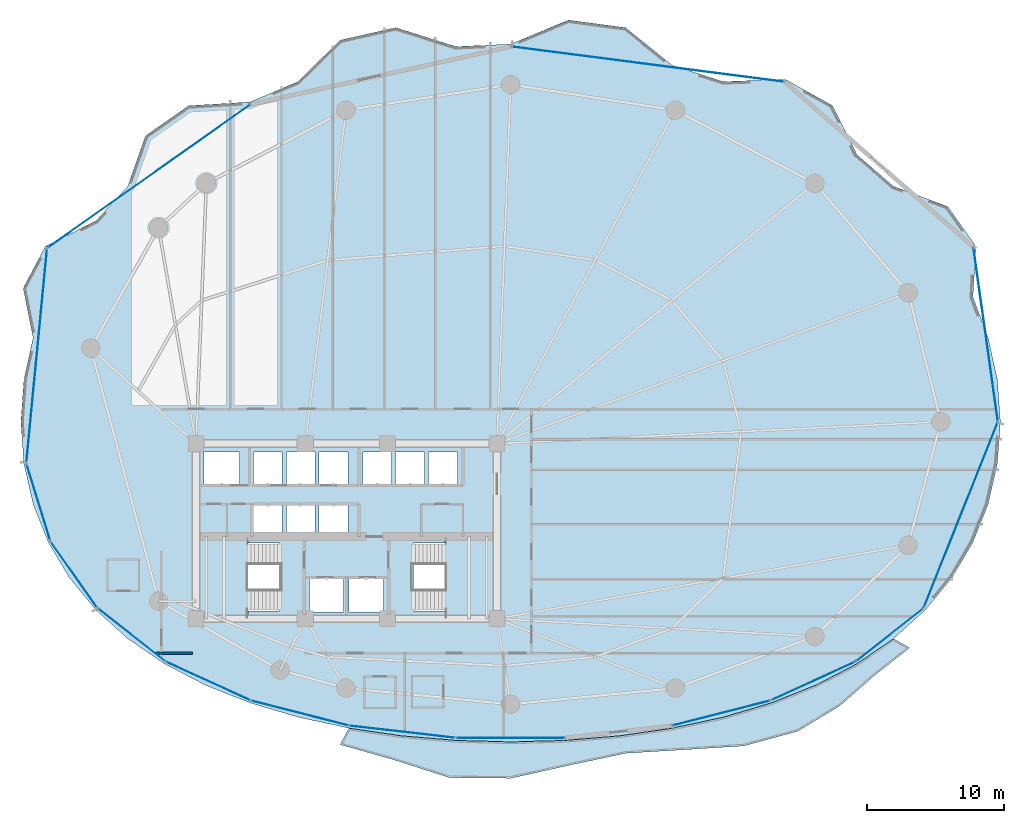
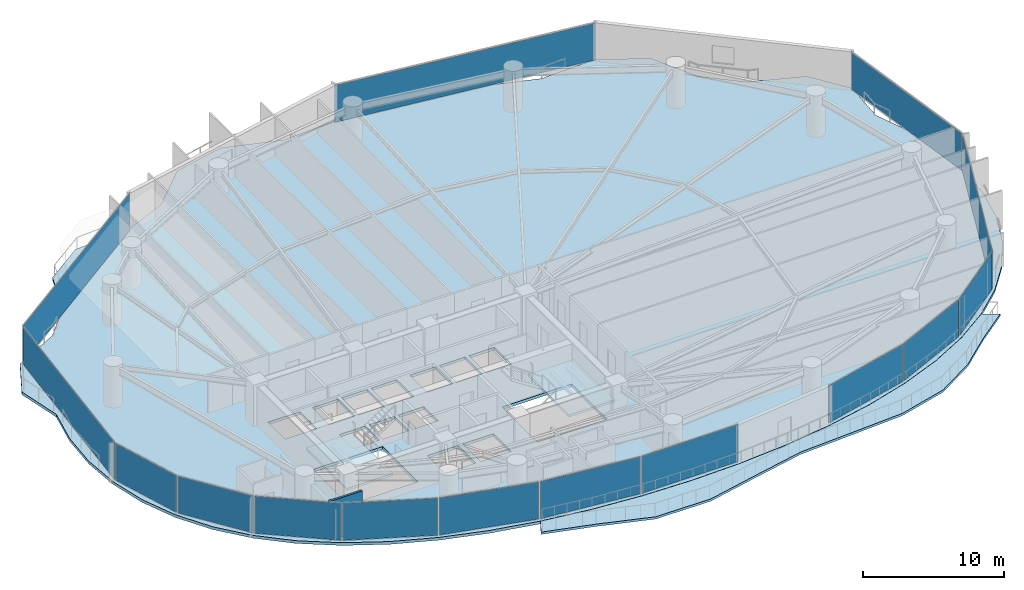
# One storey, part 24 of 32: 15 plates, 4 slabs, 1 wall, 17 elements without a shape of their own.
"""IFC4 building model written with IfcOpenShell, lengths in metres."""

from ifc_helpers import new_model, si_unit, direction, frame, frame_2d, origin, origin_2d, place, context, subcontext, project, spatial, polyline, rectangle, outline, extrude, material, layer, layer_set, type_object, element, aggregate, save


model = new_model("IFC4")

# Units and contexts
model_context = context("Model", 3, precision=1e-05, world=origin(), true_north=direction((0.0, 1.0)))
body_context = subcontext(model_context, "Body", "Model", "MODEL_VIEW")
ifc_project = project(units=[si_unit("LENGTHUNIT", "METRE"), si_unit("AREAUNIT", "SQUARE_METRE"), si_unit("VOLUMEUNIT", "CUBIC_METRE"), si_unit("PLANEANGLEUNIT", "RADIAN"), si_unit("MASSUNIT", "GRAM", prefix="KILO")], contexts=[model_context])

# Site, building, storey
site_placement = place(None, origin())
site = spatial("IfcSite", under=ifc_project, at=site_placement, CompositionType="ELEMENT")
building_placement = place(site_placement, origin())
building = spatial("IfcBuilding", under=site, at=building_placement, Name="Kazevale Care Tower and Concert Hall", CompositionType="ELEMENT")
storey_placement = place(building_placement, frame((0.0, 0.0, 38.39990234375)))
storey = spatial("IfcBuildingStorey", under=building, at=storey_placement, Name="L09", CompositionType="ELEMENT", Elevation=38.39990234375)

# Curtain wall, plate
ifc_material_1 = material(Name="Aluminium 6063-T6 and Low-E Glass", Category="aluminium")
ifc_layer_1 = layer(ifc_material_1, 0.179931640625)
ifc_layer_set_1 = layer_set([ifc_layer_1], Name="Aluminium 6063-T6 and Low-E Glass")
curtain_wall_type_1 = type_object("IfcCurtainWallType", Name="Convex Recessed Sunroom Curtain Wall CW-3", PredefinedType="NOTDEFINED", material=ifc_layer_set_1)
curtain_wall_1_placement = place(storey_placement, origin())
curtain_wall_1 = element("IfcCurtainWall", 1, at=curtain_wall_1_placement, inside=storey, type_object=curtain_wall_type_1, Name="cw:L09:f14", PredefinedType="NOTDEFINED")
ifc_material_2 = material(Name="Low-E Laminated Glass", Category="glass")
ifc_layer_2 = layer(ifc_material_2, 0.028076171875)
ifc_layer_set_2 = layer_set([ifc_layer_2], Name="Low-E Laminated Glass")
plate_type_1 = type_object("IfcPlateType", Name="CW-3 Low-E Glazing Panel 28mm", PredefinedType="CURTAIN_PANEL", material=ifc_layer_set_2)
plate_1_placement = place(storey_placement, frame((18.55810546875, 55.93896484375, 0.0751953125), z_axis=(0.0, 0.0, 1.0), x_axis=(0.816794332821, 0.57692895392, 0.0)))
plate_1 = element("IfcPlate", 2, at=plate_1_placement, type_object=plate_type_1, Name="CW-3 panel 1.1", PredefinedType="CURTAIN_PANEL", context=body_context, shape_type="SweptSolid", body=[
    extrude(rectangle(XDim=18.060302734375, YDim=0.028076171875, at=origin_2d()), origin(), (0.0, 0.0, 1.0), 3.2099609375),
])
aggregate(curtain_wall_1, [plate_1])

curtain_wall_2_placement = place(storey_placement, origin())
curtain_wall_2 = element("IfcCurtainWall", 3, at=curtain_wall_2_placement, inside=storey, type_object=curtain_wall_type_1, Name="cw:L09:f16", PredefinedType="NOTDEFINED")
plate_2_placement = place(storey_placement, frame((55.0400390625, 64.130615234375, 0.0751953125), z_axis=(0.0, 0.0, 1.0), x_axis=(0.991763039368, -0.128086196538, 0.0)))
plate_2 = element("IfcPlate", 4, at=plate_2_placement, type_object=plate_type_1, Name="CW-3 panel 1.1", PredefinedType="CURTAIN_PANEL", context=body_context, shape_type="SweptSolid", body=[
    extrude(rectangle(XDim=20.01611328125, YDim=0.028076171875, at=origin_2d()), origin(), (0.0, 0.0, 1.0), 3.2099609375),
])
aggregate(curtain_wall_2, [plate_2])

ifc_layer_3 = layer(ifc_material_1, 0.179931640625)
ifc_layer_set_3 = layer_set([ifc_layer_3], Name="Aluminium 6063-T6 and Low-E Glass")
curtain_wall_type_2 = type_object("IfcCurtainWallType", Name="Waist & Upper Residential Curtain Wall CW-4", PredefinedType="NOTDEFINED", material=ifc_layer_set_3)
curtain_wall_3_placement = place(storey_placement, origin())
curtain_wall_3 = element("IfcCurtainWall", 5, at=curtain_wall_3_placement, inside=storey, type_object=curtain_wall_type_2, Name="cw:L09:f01", PredefinedType="NOTDEFINED")
ifc_layer_4 = layer(ifc_material_2, 0.030029296875)
ifc_layer_set_4 = layer_set([ifc_layer_4], Name="Low-E Laminated Glass")
plate_type_2 = type_object("IfcPlateType", Name="CW-4 Low-E Glazing Panel 30mm", PredefinedType="CURTAIN_PANEL", material=ifc_layer_set_4)
plate_3_placement = place(storey_placement, frame((77.90087890625, 31.181884765625, 0.080078125), z_axis=(0.0, 0.0, 1.0), x_axis=(-0.370427424456, -0.928861412274, 0.0)))
plate_3 = element("IfcPlate", 6, at=plate_3_placement, type_object=plate_type_2, Name="CW-4 panel 1.1", PredefinedType="CURTAIN_PANEL", context=body_context, shape_type="SweptSolid", body=[
    extrude(rectangle(XDim=14.520263671875, YDim=0.030029296875, at=origin_2d()), origin(), (0.0, 0.0, 1.0), 3.199951171875),
])
aggregate(curtain_wall_3, [plate_3])

curtain_wall_4_placement = place(storey_placement, origin())
curtain_wall_4 = element("IfcCurtainWall", 7, at=curtain_wall_4_placement, inside=storey, type_object=curtain_wall_type_2, Name="cw:L09:f11", PredefinedType="NOTDEFINED")
plate_4_placement = place(storey_placement, frame((13.094482421875, 26.81103515625, 0.080078125), z_axis=(0.0, 0.0, 1.0), x_axis=(-0.575836813322, 0.817564654583, 0.0)))
plate_4 = element("IfcPlate", 8, at=plate_4_placement, type_object=plate_type_2, Name="CW-4 panel 1.1", PredefinedType="CURTAIN_PANEL", context=body_context, shape_type="SweptSolid", body=[
    extrude(rectangle(XDim=5.826171875, YDim=0.030029296875, at=origin_2d()), origin(), (0.0, 0.0, 1.0), 3.199951171875),
])
aggregate(curtain_wall_4, [plate_4])

curtain_wall_5_placement = place(storey_placement, origin())
curtain_wall_5 = element("IfcCurtainWall", 9, at=curtain_wall_5_placement, inside=storey, type_object=curtain_wall_type_2, Name="cw:L09:f12", PredefinedType="NOTDEFINED")
plate_5_placement = place(storey_placement, frame((10.487548828125, 32.10791015625, 0.080078125), z_axis=(0.0, 0.0, 1.0), x_axis=(-0.296098771112, 0.955157326175, 0.0)))
plate_5 = element("IfcPlate", 10, at=plate_5_placement, type_object=plate_type_2, Name="CW-4 panel 1.1", PredefinedType="CURTAIN_PANEL", context=body_context, shape_type="SweptSolid", body=[
    extrude(rectangle(XDim=5.8076171875, YDim=0.030029296875, at=origin_2d()), origin(), (0.0, 0.0, 1.0), 3.199951171875),
])
aggregate(curtain_wall_5, [plate_5])

curtain_wall_6_placement = place(storey_placement, origin())
curtain_wall_6 = element("IfcCurtainWall", 11, at=curtain_wall_6_placement, inside=storey, type_object=curtain_wall_type_2, Name="cw:L09:f13", PredefinedType="NOTDEFINED")
plate_6_placement = place(storey_placement, frame((10.362548828125, 42.822021484375, 0.080078125), z_axis=(0.0, 0.0, 1.0), x_axis=(0.096006644923, 0.995380693067, 0.0)))
plate_6 = element("IfcPlate", 12, at=plate_6_placement, type_object=plate_type_2, Name="CW-4 panel 1.1", PredefinedType="CURTAIN_PANEL", context=body_context, shape_type="SweptSolid", body=[
    extrude(rectangle(XDim=15.640869140625, YDim=0.030029296875, at=origin_2d()), origin(), (0.0, 0.0, 1.0), 3.199951171875),
])
aggregate(curtain_wall_6, [plate_6])

curtain_wall_7_placement = place(storey_placement, origin())
curtain_wall_7 = element("IfcCurtainWall", 13, at=curtain_wall_7_placement, inside=storey, type_object=curtain_wall_type_2, Name="cw:L09:f18", PredefinedType="NOTDEFINED")
plate_7_placement = place(storey_placement, frame((79.72412109375, 44.384521484375, 0.080078125), z_axis=(0.0, 0.0, 1.0), x_axis=(0.138977953775, -0.990295475282, 0.0)))
plate_7 = element("IfcPlate", 14, at=plate_7_placement, type_object=plate_type_2, Name="CW-4 panel 1.1", PredefinedType="CURTAIN_PANEL", context=body_context, shape_type="SweptSolid", body=[
    extrude(rectangle(XDim=12.734130859375, YDim=0.030029296875, at=origin_2d()), origin(), (0.0, 0.0, 1.0), 3.199951171875),
])
aggregate(curtain_wall_7, [plate_7])

ifc_layer_5 = layer(ifc_material_1, 0.179931640625)
ifc_layer_set_5 = layer_set([ifc_layer_5], Name="Aluminium 6063-T6 and Low-E Glass")
curtain_wall_type_3 = type_object("IfcCurtainWallType", Name="Sheltered Concave Balcony Curtain Wall CW-5", PredefinedType="NOTDEFINED", material=ifc_layer_set_5)
curtain_wall_8_placement = place(storey_placement, origin())
curtain_wall_8 = element("IfcCurtainWall", 15, at=curtain_wall_8_placement, inside=storey, type_object=curtain_wall_type_3, Name="cw:L09:f02", PredefinedType="NOTDEFINED")
ifc_layer_6 = layer(ifc_material_2, 0.02587890625)
ifc_layer_set_6 = layer_set([ifc_layer_6], Name="Low-E Laminated Glass")
plate_type_3 = type_object("IfcPlateType", Name="CW-5 Low-E Glazing Panel 26mm", PredefinedType="CURTAIN_PANEL", material=ifc_layer_set_6)
plate_8_placement = place(storey_placement, frame((72.701904296875, 22.41552734375, 0.0751953125), z_axis=(0.0, 0.0, 1.0), x_axis=(-0.78632934107, -0.617807548814, 0.0)))
plate_8 = element("IfcPlate", 16, at=plate_8_placement, type_object=plate_type_3, Name="CW-5 panel 1.1", PredefinedType="CURTAIN_PANEL", context=body_context, shape_type="SweptSolid", body=[
    extrude(rectangle(XDim=6.15771484375, YDim=0.02587890625, at=origin_2d()), origin(), (0.0, 0.0, 1.0), 3.2099609375),
])
aggregate(curtain_wall_8, [plate_8])

curtain_wall_9_placement = place(storey_placement, origin())
curtain_wall_9 = element("IfcCurtainWall", 17, at=curtain_wall_9_placement, inside=storey, type_object=curtain_wall_type_3, Name="cw:L09:f03", PredefinedType="NOTDEFINED")
plate_9_placement = place(storey_placement, frame((67.10498046875, 19.04248046875, 0.0751953125), z_axis=(0.0, 0.0, 1.0), x_axis=(-0.909520179795, -0.415659767773, 0.0)))
plate_9 = element("IfcPlate", 18, at=plate_9_placement, type_object=plate_type_3, Name="CW-5 panel 1.1", PredefinedType="CURTAIN_PANEL", context=body_context, shape_type="SweptSolid", body=[
    extrude(rectangle(XDim=6.7041015625, YDim=0.02587890625, at=origin_2d()), origin(), (0.0, 0.0, 1.0), 3.2099609375),
])
aggregate(curtain_wall_9, [plate_9])

curtain_wall_10_placement = place(storey_placement, origin())
curtain_wall_10 = element("IfcCurtainWall", 19, at=curtain_wall_10_placement, inside=storey, type_object=curtain_wall_type_3, Name="cw:L09:f04", PredefinedType="NOTDEFINED")
plate_10_placement = place(storey_placement, frame((60.389892578125, 16.699951171875, 0.0751953125), z_axis=(0.0, 0.0, 1.0), x_axis=(-0.968958899798, -0.247221864936, 0.0)))
plate_10 = element("IfcPlate", 20, at=plate_10_placement, type_object=plate_type_3, Name="CW-5 panel 1.1", PredefinedType="CURTAIN_PANEL", context=body_context, shape_type="SweptSolid", body=[
    extrude(rectangle(XDim=7.276611328125, YDim=0.02587890625, at=origin_2d()), origin(), (0.0, 0.0, 1.0), 3.2099609375),
])
aggregate(curtain_wall_10, [plate_10])

curtain_wall_11_placement = place(storey_placement, origin())
curtain_wall_11 = element("IfcCurtainWall", 21, at=curtain_wall_11_placement, inside=storey, type_object=curtain_wall_type_3, Name="cw:L09:f06", PredefinedType="NOTDEFINED")
plate_11_placement = place(storey_placement, frame((45.0, 14.889892578125, 0.0751953125), z_axis=(0.0, 0.0, 1.0), x_axis=(-1.0, 0.0, 0.0)))
plate_11 = element("IfcPlate", 22, at=plate_11_placement, type_object=plate_type_3, Name="CW-5 panel 1.1", PredefinedType="CURTAIN_PANEL", context=body_context, shape_type="SweptSolid", body=[
    extrude(rectangle(XDim=7.845947265625, YDim=0.02587890625, at=origin_2d()), origin(), (0.0, 0.0, 1.0), 3.2099609375),
])
aggregate(curtain_wall_11, [plate_11])

curtain_wall_12_placement = place(storey_placement, origin())
curtain_wall_12 = element("IfcCurtainWall", 23, at=curtain_wall_12_placement, inside=storey, type_object=curtain_wall_type_3, Name="cw:L09:f07", PredefinedType="NOTDEFINED")
plate_12_placement = place(storey_placement, frame((37.10498046875, 15.3359375, 0.0751953125), z_axis=(0.0, 0.0, 1.0), x_axis=(-0.993514581883, 0.113704773808, 0.0)))
plate_12 = element("IfcPlate", 24, at=plate_12_placement, type_object=plate_type_3, Name="CW-5 panel 1.1", PredefinedType="CURTAIN_PANEL", context=body_context, shape_type="SweptSolid", body=[
    extrude(rectangle(XDim=7.69482421875, YDim=0.02587890625, at=origin_2d()), origin(), (0.0, 0.0, 1.0), 3.2099609375),
])
aggregate(curtain_wall_12, [plate_12])

curtain_wall_13_placement = place(storey_placement, origin())
curtain_wall_13 = element("IfcCurtainWall", 25, at=curtain_wall_13_placement, inside=storey, type_object=curtain_wall_type_3, Name="cw:L09:f08", PredefinedType="NOTDEFINED")
plate_13_placement = place(storey_placement, frame((29.610107421875, 16.699951171875, 0.0751953125), z_axis=(0.0, 0.0, 1.0), x_axis=(-0.968958899798, 0.247221864936, 0.0)))
plate_13 = element("IfcPlate", 26, at=plate_13_placement, type_object=plate_type_3, Name="CW-5 panel 1.1", PredefinedType="CURTAIN_PANEL", context=body_context, shape_type="SweptSolid", body=[
    extrude(rectangle(XDim=7.276611328125, YDim=0.02587890625, at=origin_2d()), origin(), (0.0, 0.0, 1.0), 3.2099609375),
])
aggregate(curtain_wall_13, [plate_13])

curtain_wall_14_placement = place(storey_placement, origin())
curtain_wall_14 = element("IfcCurtainWall", 27, at=curtain_wall_14_placement, inside=storey, type_object=curtain_wall_type_3, Name="cw:L09:f09", PredefinedType="NOTDEFINED")
plate_14_placement = place(storey_placement, frame((22.89501953125, 19.04248046875, 0.0751953125), z_axis=(0.0, 0.0, 1.0), x_axis=(-0.909520179795, 0.415659767773, 0.0)))
plate_14 = element("IfcPlate", 28, at=plate_14_placement, type_object=plate_type_3, Name="CW-5 panel 1.1", PredefinedType="CURTAIN_PANEL", context=body_context, shape_type="SweptSolid", body=[
    extrude(rectangle(XDim=6.7041015625, YDim=0.02587890625, at=origin_2d()), origin(), (0.0, 0.0, 1.0), 3.2099609375),
])
aggregate(curtain_wall_14, [plate_14])

curtain_wall_15_placement = place(storey_placement, origin())
curtain_wall_15 = element("IfcCurtainWall", 29, at=curtain_wall_15_placement, inside=storey, type_object=curtain_wall_type_3, Name="cw:L09:f10", PredefinedType="NOTDEFINED")
plate_15_placement = place(storey_placement, frame((17.298095703125, 22.41552734375, 0.0751953125), z_axis=(0.0, 0.0, 1.0), x_axis=(-0.78632934107, 0.617807548814, 0.0)))
plate_15 = element("IfcPlate", 30, at=plate_15_placement, type_object=plate_type_3, Name="CW-5 panel 1.1", PredefinedType="CURTAIN_PANEL", context=body_context, shape_type="SweptSolid", body=[
    extrude(rectangle(XDim=6.15771484375, YDim=0.02587890625, at=origin_2d()), origin(), (0.0, 0.0, 1.0), 3.2099609375),
])
aggregate(curtain_wall_15, [plate_15])

# Slab
ifc_material_3 = material(Name="Concrete C40", Category="concrete")
ifc_layer_7 = layer(ifc_material_3, 0.199951171875)
ifc_layer_set_7 = layer_set([ifc_layer_7], Name="Concrete C40")
slab_type_1 = type_object("IfcSlabType", Name="Sinusoidal Concave Balcony Slab 200", PredefinedType="USERDEFINED", material=ifc_layer_set_7)
slab_1_placement = place(storey_placement, frame((0.0, 0.0, -0.199951171875)))
element("IfcSlab", 31, at=slab_1_placement, inside=storey, type_object=slab_type_1, Name="slab:L09:bal", ObjectType="BALCONY", PredefinedType="USERDEFINED", context=body_context, shape_type="SweptSolid", body=[
    extrude(outline(polyline([(74.16650390625, 21.4765625), (71.571533203125, 19.43359375), (69.071533203125, 17.238037109375), (65.970458984375, 15.371826171875), (62.042724609375, 14.30419921875), (57.658203125, 14.025146484375), (53.408935546875, 13.76806640625), (49.320068359375, 12.8984375), (45.0, 11.939697265625), (40.522216796875, 11.982666015625), (36.428955078125, 13.30078125), (32.5380859375, 14.396728515625), (33.173583984375, 15.6005859375), (33.175048828125, 15.600341796875), (37.033203125, 15.038818359375), (40.991455078125, 14.705322265625), (45.0, 14.594970703125), (49.008544921875, 14.705322265625), (52.966796875, 15.038818359375), (56.824951171875, 15.600341796875), (60.5341796875, 16.3984375), (64.04833984375, 17.443115234375), (67.322998046875, 18.743408203125), (70.31689453125, 20.3076171875), (72.99267578125, 22.139404296875), (72.994140625, 22.140625), (74.16650390625, 21.4765625)])), origin(), (0.0, 0.0, 1.0), 0.199951171875),
])

# Stair, slab
stair_type = type_object("IfcStairType", Name="Exit Stair Assembly ST1-Z1", PredefinedType="HALF_TURN_STAIR", material=ifc_material_3)
stair_1_placement = place(storey_placement, origin())
stair_1 = element("IfcStair", 32, at=stair_1_placement, inside=storey, type_object=stair_type, Name="stair:L09:ST1", PredefinedType="HALF_TURN_STAIR")
ifc_layer_8 = layer(ifc_material_3, 0.199951171875)
ifc_layer_set_8 = layer_set([ifc_layer_8], Name="Concrete C40")
slab_type_2 = type_object("IfcSlabType", Name="Stair Half-Landing Slab ST1-Z1", PredefinedType="LANDING", material=ifc_layer_set_8)
slab_2_placement = place(storey_placement, frame((0.0, 0.0, 1.60009765625)))
slab_2 = element("IfcSlab", 33, at=slab_2_placement, type_object=slab_type_2, Name="ST1-Z1 landing 1", PredefinedType="LANDING", context=body_context, shape_type="SweptSolid", body=[
    extrude(outline(polyline([(22.050048828125, 23.699951171875), (25.81005859375, 23.699951171875), (25.81005859375, 29.5), (22.050048828125, 29.5), (22.050048828125, 23.699951171875)])), origin(), (0.0, 0.0, 1.0), 0.199951171875),
])
aggregate(stair_1, [slab_2])

stair_2_placement = place(storey_placement, origin())
stair_2 = element("IfcStair", 34, at=stair_2_placement, inside=storey, type_object=stair_type, Name="stair:L09:ST2", PredefinedType="HALF_TURN_STAIR")
slab_3_placement = place(storey_placement, frame((0.0, 0.0, 1.60009765625)))
slab_3 = element("IfcSlab", 35, at=slab_3_placement, type_object=slab_type_2, Name="ST1-Z1 landing 1", PredefinedType="LANDING", context=body_context, shape_type="SweptSolid", body=[
    extrude(outline(polyline([(40.18994140625, 23.699951171875), (43.949951171875, 23.699951171875), (43.949951171875, 29.5), (40.18994140625, 29.5), (40.18994140625, 23.699951171875)])), origin(), (0.0, 0.0, 1.0), 0.199951171875),
])
aggregate(stair_2, [slab_3])

# Slab
ifc_layer_9 = layer(ifc_material_3, 0.239990234375)
ifc_layer_set_9 = layer_set([ifc_layer_9], Name="Concrete C40")
slab_type_3 = type_object("IfcSlabType", Name="Tower Typical Floor Slab 240", PredefinedType="FLOOR", material=ifc_layer_set_9)
slab_4_placement = place(storey_placement, frame((0.0, 0.0, -0.239990234375)))
element("IfcSlab", 36, at=slab_4_placement, inside=storey, type_object=slab_type_3, Name="slab:L09:tw:1", PredefinedType="FLOOR", context=body_context, shape_type="SweptSolid", body=[
    extrude(outline(polyline([(80.800048828125, 38.0), (80.574951171875, 41.090087890625), (79.90234375, 44.1416015625), (78.791015625, 47.11572265625), (79.01171875, 50.8212890625), (76.9638671875, 53.721435546875), (72.989501953125, 55.208251953125), (70.314453125, 57.51611328125), (68.53662109375, 61.10302734375), (65.084228515625, 63.020751953125), (60.532958984375, 62.86669921875), (56.823974609375, 64.05126953125), (53.400146484375, 66.80908203125), (49.226806640625, 67.3642578125), (45.0, 65.60009765625), (40.99169921875, 65.426513671875), (36.599853515625, 66.80908203125), (32.531982421875, 65.891845703125), (29.467041015625, 62.86669921875), (25.953369140625, 61.36962890625), (21.46337890625, 61.10302734375), (18.306640625, 58.89501953125), (17.010498046875, 55.208251953125), (14.687255859375, 52.68408203125), (10.98828125, 50.8212890625), (9.368408203125, 47.759765625), (10.09765625, 44.1416015625), (9.425048828125, 41.090087890625), (9.199951171875, 38.0), (9.425048828125, 34.931640625), (10.09765625, 31.972412109375), (11.208984375, 29.178466796875), (12.745361328125, 26.591064453125), (14.687255859375, 24.239501953125), (17.010498046875, 22.143310546875), (19.685546875, 20.31201171875), (22.67919921875, 18.748046875), (25.953369140625, 17.44775390625), (29.467041015625, 16.4033203125), (33.176025390625, 15.605224609375), (37.03369140625, 15.043701171875), (40.99169921875, 14.71044921875), (45.0, 14.60009765625), (49.00830078125, 14.71044921875), (52.96630859375, 15.043701171875), (56.823974609375, 15.605224609375), (60.532958984375, 16.4033203125), (64.046630859375, 17.44775390625), (67.32080078125, 18.748046875), (70.314453125, 20.31201171875), (72.989501953125, 22.143310546875), (75.312744140625, 24.239501953125), (77.254638671875, 26.591064453125), (78.791015625, 29.178466796875), (79.90234375, 31.972412109375), (80.574951171875, 34.931640625), (80.800048828125, 38.0)]), holes=[polyline([(22.449951171875, 24.14990234375), (28.110107421875, 24.14990234375), (28.110107421875, 29.14990234375), (22.449951171875, 29.14990234375), (22.449951171875, 24.14990234375)]), polyline([(37.889892578125, 24.14990234375), (43.550048828125, 24.14990234375), (43.550048828125, 29.14990234375), (37.889892578125, 29.14990234375), (37.889892578125, 24.14990234375)]), polyline([(30.300048828125, 24.10009765625), (32.800048828125, 24.10009765625), (32.800048828125, 26.60009765625), (30.300048828125, 26.60009765625), (30.300048828125, 24.10009765625)]), polyline([(33.199951171875, 24.10009765625), (35.699951171875, 24.10009765625), (35.699951171875, 26.60009765625), (33.199951171875, 26.60009765625), (33.199951171875, 24.10009765625)]), polyline([(22.60009765625, 33.39990234375), (25.199951171875, 33.39990234375), (25.199951171875, 35.800048828125), (22.60009765625, 35.800048828125), (22.60009765625, 33.39990234375)]), polyline([(26.199951171875, 33.39990234375), (28.300048828125, 33.39990234375), (28.300048828125, 35.800048828125), (26.199951171875, 35.800048828125), (26.199951171875, 33.39990234375)]), polyline([(28.60009765625, 33.39990234375), (30.699951171875, 33.39990234375), (30.699951171875, 35.800048828125), (28.60009765625, 35.800048828125), (28.60009765625, 33.39990234375)]), polyline([(31.0, 33.39990234375), (33.10009765625, 33.39990234375), (33.10009765625, 35.800048828125), (31.0, 35.800048828125), (31.0, 33.39990234375)]), polyline([(34.199951171875, 33.39990234375), (36.300048828125, 33.39990234375), (36.300048828125, 35.800048828125), (34.199951171875, 35.800048828125), (34.199951171875, 33.39990234375)]), polyline([(36.60009765625, 33.39990234375), (38.699951171875, 33.39990234375), (38.699951171875, 35.800048828125), (36.60009765625, 35.800048828125), (36.60009765625, 33.39990234375)]), polyline([(39.0, 33.39990234375), (41.10009765625, 33.39990234375), (41.10009765625, 35.800048828125), (39.0, 35.800048828125), (39.0, 33.39990234375)]), polyline([(26.199951171875, 29.949951171875), (28.300048828125, 29.949951171875), (28.300048828125, 31.949951171875), (26.199951171875, 31.949951171875), (26.199951171875, 29.949951171875)]), polyline([(28.60009765625, 29.949951171875), (30.699951171875, 29.949951171875), (30.699951171875, 31.949951171875), (28.60009765625, 31.949951171875), (28.60009765625, 29.949951171875)]), polyline([(31.0, 29.949951171875), (33.10009765625, 29.949951171875), (33.10009765625, 31.949951171875), (31.0, 31.949951171875), (31.0, 29.949951171875)])]), origin(), (0.0, 0.0, 1.0), 0.239990234375),
])

# Wall
ifc_material_4 = material(Name="Concrete C40 and Acoustic Gypsum", Category="concrete")
ifc_layer_10 = layer(ifc_material_4, 0.179931640625)
ifc_layer_set_10 = layer_set([ifc_layer_10], Name="Concrete C40 and Acoustic Gypsum")
wall_type = type_object("IfcWallType", Name="Fire-Rated Corridor & Party Wall 180", PredefinedType="PARTITIONING", material=ifc_layer_set_10)
wall_placement = place(storey_placement, frame((21.739990234375, 21.074951171875, 0.0), z_axis=(0.0, 0.0, 1.0), x_axis=(-1.0, 0.0, 0.0)))
element("IfcWall", 37, at=wall_placement, inside=storey, type_object=wall_type, Name="wall:L09:auto_018", PredefinedType="PARTITIONING", context=body_context, shape_type="SweptSolid", body=[
    extrude(rectangle(XDim=2.64501953125, YDim=0.179931640625, at=frame_2d((1.322509765625, 0.0))), origin(), (0.0, 0.0, 1.0), 3.360107421875),
])

save(model, "model.ifc")
